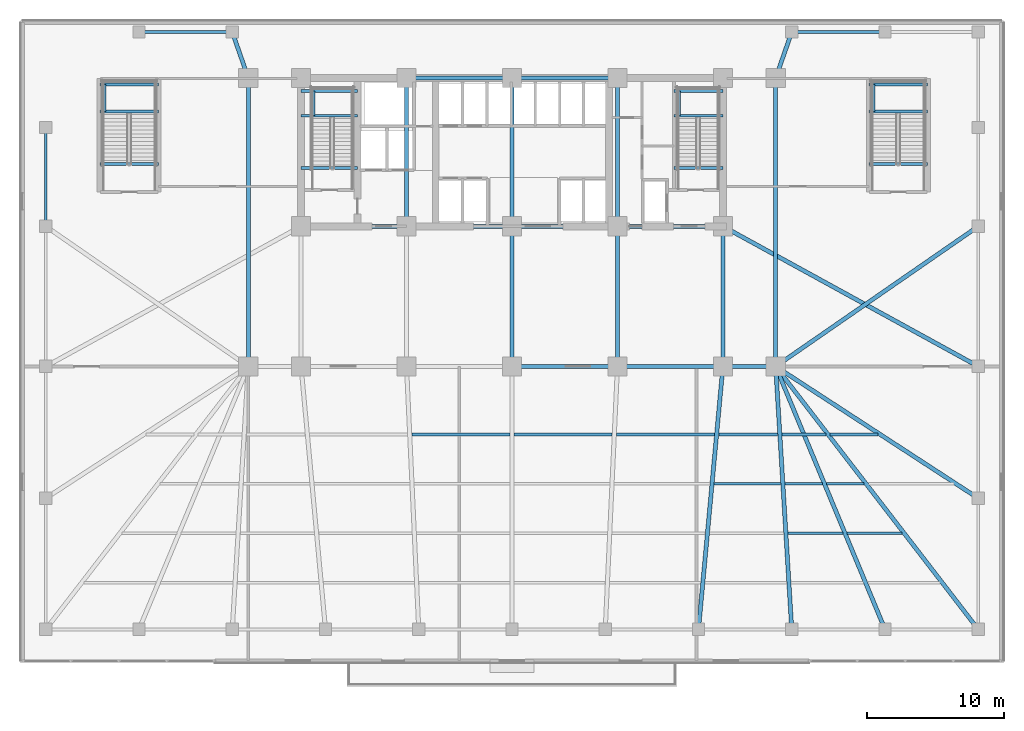
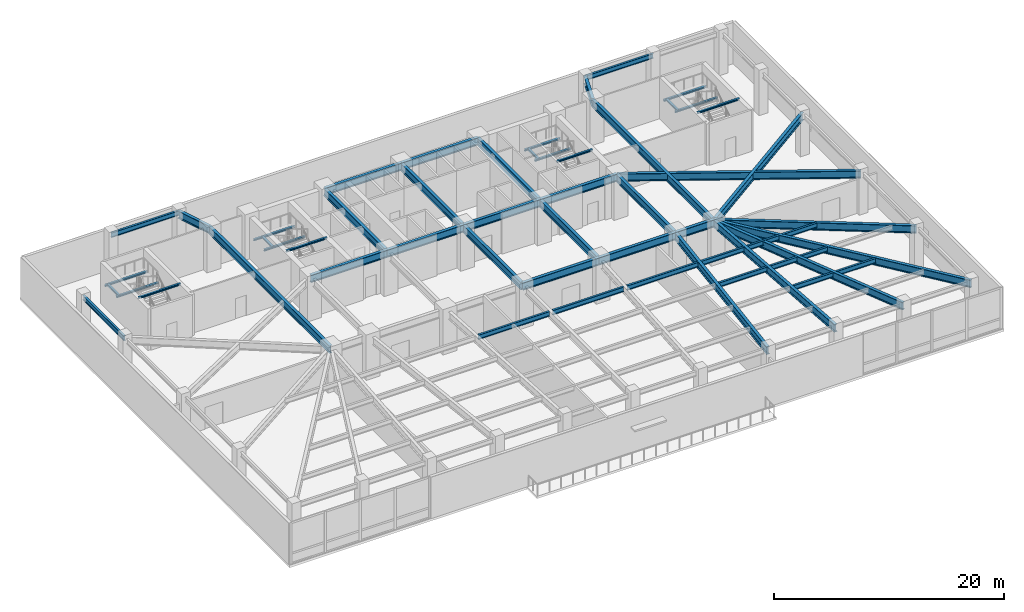
# One storey, part 5 of 15: 56 beams.
"""IFC4 building model written with IfcOpenShell, lengths in metres."""

from ifc_helpers import new_model, si_unit, direction, frame, origin, origin_2d, place, context, subcontext, project, spatial, i_section, extrude, material, material_profile, profile_set, type_object, element, save


model = new_model("IFC4")

# Units and contexts
model_context = context("Model", 3, precision=1e-05, world=origin(), true_north=direction((0.0, 1.0)))
body_context = subcontext(model_context, "Body", "Model", "MODEL_VIEW")
ifc_project = project(units=[si_unit("LENGTHUNIT", "METRE"), si_unit("AREAUNIT", "SQUARE_METRE"), si_unit("VOLUMEUNIT", "CUBIC_METRE"), si_unit("PLANEANGLEUNIT", "RADIAN"), si_unit("MASSUNIT", "GRAM", prefix="KILO")], contexts=[model_context])

# Site, building, storey
site_placement = place(None, origin())
site = spatial("IfcSite", under=ifc_project, at=site_placement, CompositionType="ELEMENT")
building_placement = place(site_placement, origin())
building = spatial("IfcBuilding", under=site, at=building_placement, Name="Yelkora Congress Tower", CompositionType="ELEMENT")
storey_placement = place(building_placement, frame((0.0, 0.0, 20.39990234375)))
storey = spatial("IfcBuildingStorey", under=building, at=storey_placement, Name="L04", CompositionType="ELEMENT", Elevation=20.39990234375)

# Beams
ifc_material_1 = material(Name="Steel S460M", Category="steel")
ifc_material_profile_1 = material_profile(ifc_material_1, i_section(OverallWidth=0.300048828125, OverallDepth=0.800048828125, WebThickness=0.017578125, FlangeThickness=0.032958984375, FilletRadius=0.030029296875, at=origin_2d()), Name="HEB 800")
ifc_profile_set_1 = profile_set([ifc_material_profile_1], Name="Steel S460M")
beam_type_1 = type_object("IfcBeamType", Name="BM-HALL-HEB800", PredefinedType="BEAM", material=ifc_profile_set_1)
beam_1_placement = place(storey_placement, frame((38.39990234375, 25.199951171875, 3.97998046875), z_axis=(1.0, 0.0, 0.0), x_axis=(0.0, 1.0, 0.0)))
element("IfcBeam", 1, at=beam_1_placement, inside=storey, type_object=beam_type_1, Name="L04 Spine Grid D Girder 4", PredefinedType="BEAM", context=body_context, shape_type="SweptSolid", body=[
    extrude(i_section(OverallWidth=0.300048828125, OverallDepth=0.800048828125, WebThickness=0.017578125, FlangeThickness=0.032958984375, FilletRadius=0.030029296875, at=origin_2d()), origin(), (0.0, 0.0, 1.0), 7.68017578125),
])
beam_2_placement = place(storey_placement, frame((46.080078125, 25.199951171875, 3.97998046875), z_axis=(1.0, 0.0, 0.0), x_axis=(0.0, 1.0, 0.0)))
element("IfcBeam", 2, at=beam_2_placement, inside=storey, type_object=beam_type_1, Name="L04 Spine Grid D Girder 5", PredefinedType="BEAM", context=body_context, shape_type="SweptSolid", body=[
    extrude(i_section(OverallWidth=0.300048828125, OverallDepth=0.800048828125, WebThickness=0.017578125, FlangeThickness=0.032958984375, FilletRadius=0.030029296875, at=origin_2d()), origin(), (0.0, 0.0, 1.0), 7.679931640625),
])
beam_3_placement = place(storey_placement, frame((53.760009765625, 25.199951171875, 3.97998046875), z_axis=(1.0, 0.0, 0.0), x_axis=(0.0, 1.0, 0.0)))
element("IfcBeam", 3, at=beam_3_placement, inside=storey, type_object=beam_type_1, Name="L04 Spine Grid D Girder 6", PredefinedType="BEAM", context=body_context, shape_type="SweptSolid", body=[
    extrude(i_section(OverallWidth=0.300048828125, OverallDepth=0.800048828125, WebThickness=0.017578125, FlangeThickness=0.032958984375, FilletRadius=0.030029296875, at=origin_2d()), origin(), (0.0, 0.0, 1.0), 3.840087890625),
])
beam_4_placement = place(storey_placement, frame((30.719970703125, 46.199951171875, 3.97998046875), z_axis=(1.0, 0.0, 0.0), x_axis=(0.0, 1.0, 0.0)))
element("IfcBeam", 4, at=beam_4_placement, inside=storey, type_object=beam_type_1, Name="L04 Core North Girder 3", PredefinedType="BEAM", context=body_context, shape_type="SweptSolid", body=[
    extrude(i_section(OverallWidth=0.300048828125, OverallDepth=0.800048828125, WebThickness=0.017578125, FlangeThickness=0.032958984375, FilletRadius=0.030029296875, at=origin_2d()), origin(), (0.0, 0.0, 1.0), 7.679931640625),
])
beam_5_placement = place(storey_placement, frame((38.39990234375, 46.199951171875, 3.97998046875), z_axis=(1.0, 0.0, 0.0), x_axis=(0.0, 1.0, 0.0)))
element("IfcBeam", 5, at=beam_5_placement, inside=storey, type_object=beam_type_1, Name="L04 Core North Girder 4", PredefinedType="BEAM", context=body_context, shape_type="SweptSolid", body=[
    extrude(i_section(OverallWidth=0.300048828125, OverallDepth=0.800048828125, WebThickness=0.017578125, FlangeThickness=0.032958984375, FilletRadius=0.030029296875, at=origin_2d()), origin(), (0.0, 0.0, 1.0), 7.68017578125),
])
for number, where, z_axis, x_axis, name in (
    (6, (23.0400390625, 35.39990234375, 3.97998046875), (1.0, 0.0, 0.0), (0.0, 1.0, 0.0), "L04 Core South Girder 1"),
    (7, (30.719970703125, 35.39990234375, 3.97998046875), (1.0, 0.0, 0.0), (0.0, 1.0, 0.0), "L04 Core South Girder 2"),
):
    element("IfcBeam", number, at=place(storey_placement, frame(where, z_axis=z_axis, x_axis=x_axis)), inside=storey, type_object=beam_type_1, Name=name, PredefinedType="BEAM", context=body_context, shape_type="SweptSolid", body=[
        extrude(i_section(OverallWidth=0.300048828125, OverallDepth=0.800048828125, WebThickness=0.017578125, FlangeThickness=0.032958984375, FilletRadius=0.030029296875, at=origin_2d()), origin(), (0.0, 0.0, 1.0), 7.679931640625),
    ])
beam_6_placement = place(storey_placement, frame((38.39990234375, 35.39990234375, 3.97998046875), z_axis=(1.0, 0.0, 0.0), x_axis=(0.0, 1.0, 0.0)))
element("IfcBeam", 8, at=beam_6_placement, inside=storey, type_object=beam_type_1, Name="L04 Core South Girder 3", PredefinedType="BEAM", context=body_context, shape_type="SweptSolid", body=[
    extrude(i_section(OverallWidth=0.300048828125, OverallDepth=0.800048828125, WebThickness=0.017578125, FlangeThickness=0.032958984375, FilletRadius=0.030029296875, at=origin_2d()), origin(), (0.0, 0.0, 1.0), 7.68017578125),
])
beam_7_placement = place(storey_placement, frame((46.080078125, 35.39990234375, 3.97998046875), z_axis=(1.0, 0.0, 0.0), x_axis=(0.0, 1.0, 0.0)))
element("IfcBeam", 9, at=beam_7_placement, inside=storey, type_object=beam_type_1, Name="L04 Core South Girder 4", PredefinedType="BEAM", context=body_context, shape_type="SweptSolid", body=[
    extrude(i_section(OverallWidth=0.300048828125, OverallDepth=0.800048828125, WebThickness=0.017578125, FlangeThickness=0.032958984375, FilletRadius=0.030029296875, at=origin_2d()), origin(), (0.0, 0.0, 1.0), 7.679931640625),
])
beam_8_placement = place(storey_placement, frame((30.719970703125, 35.39990234375, 3.97998046875), z_axis=(0.0, 1.0, 0.0), x_axis=(-1.0, 0.0, 0.0)))
element("IfcBeam", 10, at=beam_8_placement, inside=storey, type_object=beam_type_1, Name="L04 Core Tie Girder MC-S2", PredefinedType="BEAM", context=body_context, shape_type="SweptSolid", body=[
    extrude(i_section(OverallWidth=0.300048828125, OverallDepth=0.800048828125, WebThickness=0.017578125, FlangeThickness=0.032958984375, FilletRadius=0.030029296875, at=origin_2d()), origin(), (0.0, 0.0, 1.0), 10.800048828125),
])
beam_9_placement = place(storey_placement, frame((38.39990234375, 25.199951171875, 3.97998046875), z_axis=(0.0, 1.0, 0.0), x_axis=(-1.0, 0.0, 0.0)))
element("IfcBeam", 11, at=beam_9_placement, inside=storey, type_object=beam_type_1, Name="L04 Core Tie Girder MC-D3", PredefinedType="BEAM", context=body_context, shape_type="SweptSolid", body=[
    extrude(i_section(OverallWidth=0.300048828125, OverallDepth=0.800048828125, WebThickness=0.017578125, FlangeThickness=0.032958984375, FilletRadius=0.030029296875, at=origin_2d()), origin(), (0.0, 0.0, 1.0), 10.199951171875),
])
beam_10_placement = place(storey_placement, frame((38.39990234375, 35.39990234375, 3.97998046875), z_axis=(0.0, 1.0, 0.0), x_axis=(-1.0, 0.0, 0.0)))
element("IfcBeam", 12, at=beam_10_placement, inside=storey, type_object=beam_type_1, Name="L04 Core Tie Girder MC-S3", PredefinedType="BEAM", context=body_context, shape_type="SweptSolid", body=[
    extrude(i_section(OverallWidth=0.300048828125, OverallDepth=0.800048828125, WebThickness=0.017578125, FlangeThickness=0.032958984375, FilletRadius=0.030029296875, at=origin_2d()), origin(), (0.0, 0.0, 1.0), 10.800048828125),
])
beam_11_placement = place(storey_placement, frame((46.080078125, 25.199951171875, 3.97998046875), z_axis=(0.0, 1.0, 0.0), x_axis=(-1.0, 0.0, 0.0)))
element("IfcBeam", 13, at=beam_11_placement, inside=storey, type_object=beam_type_1, Name="L04 Core Tie Girder MC-D4", PredefinedType="BEAM", context=body_context, shape_type="SweptSolid", body=[
    extrude(i_section(OverallWidth=0.300048828125, OverallDepth=0.800048828125, WebThickness=0.017578125, FlangeThickness=0.032958984375, FilletRadius=0.030029296875, at=origin_2d()), origin(), (0.0, 0.0, 1.0), 10.199951171875),
])
beam_12_placement = place(storey_placement, frame((46.080078125, 35.39990234375, 3.97998046875), z_axis=(0.0, 1.0, 0.0), x_axis=(-1.0, 0.0, 0.0)))
element("IfcBeam", 14, at=beam_12_placement, inside=storey, type_object=beam_type_1, Name="L04 Core Tie Girder MC-S4", PredefinedType="BEAM", context=body_context, shape_type="SweptSolid", body=[
    extrude(i_section(OverallWidth=0.300048828125, OverallDepth=0.800048828125, WebThickness=0.017578125, FlangeThickness=0.032958984375, FilletRadius=0.030029296875, at=origin_2d()), origin(), (0.0, 0.0, 1.0), 10.800048828125),
])
beam_13_placement = place(storey_placement, frame((53.760009765625, 25.199951171875, 3.97998046875), z_axis=(0.0, 1.0, 0.0), x_axis=(-1.0, 0.0, 0.0)))
element("IfcBeam", 15, at=beam_13_placement, inside=storey, type_object=beam_type_1, Name="L04 Core Tie Girder MC-D5", PredefinedType="BEAM", context=body_context, shape_type="SweptSolid", body=[
    extrude(i_section(OverallWidth=0.300048828125, OverallDepth=0.800048828125, WebThickness=0.017578125, FlangeThickness=0.032958984375, FilletRadius=0.030029296875, at=origin_2d()), origin(), (0.0, 0.0, 1.0), 10.199951171875),
])
for number, where, z_axis, x_axis, name in (
    (16, (19.199951171875, 25.199951171875, 3.97998046875), (0.0, 1.0, 0.0), (-1.0, 0.0, 0.0), "L04 Neck Flank Girder MC-F1"),
    (17, (57.60009765625, 25.199951171875, 3.97998046875), (0.0, 1.0, 0.0), (-1.0, 0.0, 0.0), "L04 Neck Flank Girder MC-F2"),
):
    element("IfcBeam", number, at=place(storey_placement, frame(where, z_axis=z_axis, x_axis=x_axis)), inside=storey, type_object=beam_type_1, Name=name, PredefinedType="BEAM", context=body_context, shape_type="SweptSolid", body=[
        extrude(i_section(OverallWidth=0.300048828125, OverallDepth=0.800048828125, WebThickness=0.017578125, FlangeThickness=0.032958984375, FilletRadius=0.030029296875, at=origin_2d()), origin(), (0.0, 0.0, 1.0), 21.0),
    ])
beam_14_placement = place(storey_placement, frame((18.030029296875, 49.550048828125, 3.97998046875), z_axis=(0.329694513381, -0.944087669577, 0.0), x_axis=(0.944087669577, 0.329694513381, 0.0)))
element("IfcBeam", 18, at=beam_14_placement, inside=storey, type_object=beam_type_1, Name="L04 Primary Frame Girder PN03", PredefinedType="BEAM", context=body_context, shape_type="SweptSolid", body=[
    extrude(i_section(OverallWidth=0.300048828125, OverallDepth=0.800048828125, WebThickness=0.017578125, FlangeThickness=0.032958984375, FilletRadius=0.030029296875, at=origin_2d()), origin(), (0.0, 0.0, 1.0), 3.548583984375),
])
beam_15_placement = place(storey_placement, frame((51.97998046875, 6.050048828125, 3.97998046875), z_axis=(0.092553417869, 0.995707720589, 0.0), x_axis=(-0.995707720589, 0.092553417869, 0.0)))
element("IfcBeam", 19, at=beam_15_placement, inside=storey, type_object=beam_type_1, Name="L04 Primary Frame Girder PS08", PredefinedType="BEAM", context=body_context, shape_type="SweptSolid", body=[
    extrude(i_section(OverallWidth=0.300048828125, OverallDepth=0.800048828125, WebThickness=0.017578125, FlangeThickness=0.032958984375, FilletRadius=0.030029296875, at=origin_2d()), origin(), (0.0, 0.0, 1.0), 19.232421875),
])
beam_16_placement = place(storey_placement, frame((58.77001953125, 6.050048828125, 3.97998046875), z_axis=(-0.060979146345, 0.99813904027, 0.0), x_axis=(-0.99813904027, -0.060979146345, 0.0)))
element("IfcBeam", 20, at=beam_16_placement, inside=storey, type_object=beam_type_1, Name="L04 Primary Frame Girder PS09", PredefinedType="BEAM", context=body_context, shape_type="SweptSolid", body=[
    extrude(i_section(OverallWidth=0.300048828125, OverallDepth=0.800048828125, WebThickness=0.017578125, FlangeThickness=0.032958984375, FilletRadius=0.030029296875, at=origin_2d()), origin(), (0.0, 0.0, 1.0), 19.185546875),
])
beam_17_placement = place(storey_placement, frame((58.77001953125, 49.550048828125, 3.97998046875), z_axis=(-0.329694513381, -0.944087669577, 0.0), x_axis=(0.944087669577, -0.329694513381, 0.0)))
element("IfcBeam", 21, at=beam_17_placement, inside=storey, type_object=beam_type_1, Name="L04 Primary Frame Girder PN09", PredefinedType="BEAM", context=body_context, shape_type="SweptSolid", body=[
    extrude(i_section(OverallWidth=0.300048828125, OverallDepth=0.800048828125, WebThickness=0.017578125, FlangeThickness=0.032958984375, FilletRadius=0.030029296875, at=origin_2d()), origin(), (0.0, 0.0, 1.0), 3.548583984375),
])
beam_18_placement = place(storey_placement, frame((65.56005859375, 6.050048828125, 3.97998046875), z_axis=(-0.383827816401, 0.923404682334, 0.0), x_axis=(-0.923404682334, -0.383827816401, 0.0)))
element("IfcBeam", 22, at=beam_18_placement, inside=storey, type_object=beam_type_1, Name="L04 Primary Frame Girder PS10", PredefinedType="BEAM", context=body_context, shape_type="SweptSolid", body=[
    extrude(i_section(OverallWidth=0.300048828125, OverallDepth=0.800048828125, WebThickness=0.017578125, FlangeThickness=0.032958984375, FilletRadius=0.030029296875, at=origin_2d()), origin(), (0.0, 0.0, 1.0), 20.73828125),
])
beam_19_placement = place(storey_placement, frame((72.35009765625, 6.050048828125, 3.97998046875), z_axis=(-0.610212418574, 0.792237845737, 0.0), x_axis=(-0.792237845737, -0.610212418574, 0.0)))
element("IfcBeam", 23, at=beam_19_placement, inside=storey, type_object=beam_type_1, Name="L04 Primary Frame Girder PS11", PredefinedType="BEAM", context=body_context, shape_type="SweptSolid", body=[
    extrude(i_section(OverallWidth=0.300048828125, OverallDepth=0.800048828125, WebThickness=0.017578125, FlangeThickness=0.032958984375, FilletRadius=0.030029296875, at=origin_2d()), origin(), (0.0, 0.0, 1.0), 24.171875),
])
beam_20_placement = place(storey_placement, frame((72.35009765625, 15.60009765625, 3.97998046875), z_axis=(-0.83812272066, 0.545481718404, 0.0), x_axis=(-0.545481718404, -0.83812272066, 0.0)))
element("IfcBeam", 24, at=beam_20_placement, inside=storey, type_object=beam_type_1, Name="L04 Primary Frame Girder PE1", PredefinedType="BEAM", context=body_context, shape_type="SweptSolid", body=[
    extrude(i_section(OverallWidth=0.300048828125, OverallDepth=0.800048828125, WebThickness=0.017578125, FlangeThickness=0.032958984375, FilletRadius=0.030029296875, at=origin_2d()), origin(), (0.0, 0.0, 1.0), 17.598876953125),
])
beam_21_placement = place(storey_placement, frame((72.35009765625, 25.199951171875, 3.97998046875), z_axis=(-0.876705282536, 0.48102790727, 0.0), x_axis=(-0.48102790727, -0.876705282536, 0.0)))
element("IfcBeam", 25, at=beam_21_placement, inside=storey, type_object=beam_type_1, Name="L04 Primary Frame Girder PE2", PredefinedType="BEAM", context=body_context, shape_type="SweptSolid", body=[
    extrude(i_section(OverallWidth=0.300048828125, OverallDepth=0.800048828125, WebThickness=0.017578125, FlangeThickness=0.032958984375, FilletRadius=0.030029296875, at=origin_2d()), origin(), (0.0, 0.0, 1.0), 21.20458984375),
])
beam_22_placement = place(storey_placement, frame((72.35009765625, 35.39990234375, 3.97998046875), z_axis=(-0.822494466498, -0.568773111689, 0.0), x_axis=(0.568773111689, -0.822494466498, 0.0)))
element("IfcBeam", 26, at=beam_22_placement, inside=storey, type_object=beam_type_1, Name="L04 Primary Frame Girder PE3", PredefinedType="BEAM", context=body_context, shape_type="SweptSolid", body=[
    extrude(i_section(OverallWidth=0.300048828125, OverallDepth=0.800048828125, WebThickness=0.017578125, FlangeThickness=0.032958984375, FilletRadius=0.030029296875, at=origin_2d()), origin(), (0.0, 0.0, 1.0), 17.933349609375),
])
ifc_material_2 = material(Name="Steel S355J2", Category="steel")
ifc_material_profile_2 = material_profile(ifc_material_2, i_section(OverallWidth=0.199951171875, OverallDepth=0.5, WebThickness=0.01025390625, FlangeThickness=0.01611328125, FilletRadius=0.02099609375, at=origin_2d()), Name="IPE 500")
ifc_profile_set_2 = profile_set([ifc_material_profile_2], Name="Steel S355J2")
beam_type_2 = type_object("IfcBeamType", Name="BM-JOIST-IPE500", PredefinedType="JOIST", material=ifc_profile_set_2)
for number, where, z_axis, x_axis, name in (
    (27, (58.502197265625, 13.050048828125, 4.130126953125), (1.0, 0.0, 0.0), (0.0, 1.0, 0.0), "L04 Composite Floor Joist 19"),
    (28, (62.810302734375, 13.050048828125, 4.130126953125), (1.0, 0.0, 0.0), (0.0, 1.0, 0.0), "L04 Composite Floor Joist 20"),
):
    element("IfcBeam", number, at=place(storey_placement, frame(where, z_axis=z_axis, x_axis=x_axis)), inside=storey, type_object=beam_type_2, Name=name, PredefinedType="JOIST", context=body_context, shape_type="SweptSolid", body=[
        extrude(i_section(OverallWidth=0.199951171875, OverallDepth=0.5, WebThickness=0.01025390625, FlangeThickness=0.01611328125, FilletRadius=0.02099609375, at=origin_2d()), origin(), (0.0, 0.0, 1.0), 3.988037109375),
    ])
beam_23_placement = place(storey_placement, frame((53.125244140625, 16.64990234375, 4.130126953125), z_axis=(1.0, 0.0, 0.0), x_axis=(0.0, 1.0, 0.0)))
element("IfcBeam", 29, at=beam_23_placement, inside=storey, type_object=beam_type_2, Name="L04 Composite Floor Joist 28", PredefinedType="JOIST", context=body_context, shape_type="SweptSolid", body=[
    extrude(i_section(OverallWidth=0.199951171875, OverallDepth=0.5, WebThickness=0.01025390625, FlangeThickness=0.01611328125, FilletRadius=0.02099609375, at=origin_2d()), origin(), (0.0, 0.0, 1.0), 4.837158203125),
])
for number, where, z_axis, x_axis, name in (
    (30, (58.282470703125, 16.64990234375, 4.130126953125), (1.0, 0.0, 0.0), (0.0, 1.0, 0.0), "L04 Composite Floor Joist 29"),
    (31, (61.31396484375, 16.64990234375, 4.130126953125), (1.0, 0.0, 0.0), (0.0, 1.0, 0.0), "L04 Composite Floor Joist 30"),
):
    element("IfcBeam", number, at=place(storey_placement, frame(where, z_axis=z_axis, x_axis=x_axis)), inside=storey, type_object=beam_type_2, Name=name, PredefinedType="JOIST", context=body_context, shape_type="SweptSolid", body=[
        extrude(i_section(OverallWidth=0.199951171875, OverallDepth=0.5, WebThickness=0.01025390625, FlangeThickness=0.01611328125, FilletRadius=0.02099609375, at=origin_2d()), origin(), (0.0, 0.0, 1.0), 2.71142578125),
    ])
for number, where, z_axis, x_axis, name in (
    (32, (31.110107421875, 20.25, 4.130126953125), (1.0, 0.0, 0.0), (0.0, 1.0, 0.0), "L04 Composite Floor Joist 36"),
    (33, (38.56005859375, 20.25, 4.130126953125), (1.0, 0.0, 0.0), (0.0, 1.0, 0.0), "L04 Composite Floor Joist 37"),
    (34, (46.010009765625, 20.25, 4.130126953125), (1.0, 0.0, 0.0), (0.0, 1.0, 0.0), "L04 Composite Floor Joist 38"),
):
    element("IfcBeam", number, at=place(storey_placement, frame(where, z_axis=z_axis, x_axis=x_axis)), inside=storey, type_object=beam_type_2, Name=name, PredefinedType="JOIST", context=body_context, shape_type="SweptSolid", body=[
        extrude(i_section(OverallWidth=0.199951171875, OverallDepth=0.5, WebThickness=0.01025390625, FlangeThickness=0.01611328125, FilletRadius=0.02099609375, at=origin_2d()), origin(), (0.0, 0.0, 1.0), 7.1298828125),
    ])
beam_24_placement = place(storey_placement, frame((53.4599609375, 20.25, 4.130126953125), z_axis=(1.0, 0.0, 0.0), x_axis=(0.0, 1.0, 0.0)))
element("IfcBeam", 35, at=beam_24_placement, inside=storey, type_object=beam_type_2, Name="L04 Composite Floor Joist 39", PredefinedType="JOIST", context=body_context, shape_type="SweptSolid", body=[
    extrude(i_section(OverallWidth=0.199951171875, OverallDepth=0.5, WebThickness=0.01025390625, FlangeThickness=0.01611328125, FilletRadius=0.02099609375, at=origin_2d()), origin(), (0.0, 0.0, 1.0), 4.282470703125),
])
beam_25_placement = place(storey_placement, frame((58.0625, 20.25, 4.130126953125), z_axis=(1.0, 0.0, 0.0), x_axis=(0.0, 1.0, 0.0)))
element("IfcBeam", 36, at=beam_25_placement, inside=storey, type_object=beam_type_2, Name="L04 Composite Floor Joist 40", PredefinedType="JOIST", context=body_context, shape_type="SweptSolid", body=[
    extrude(i_section(OverallWidth=0.199951171875, OverallDepth=0.5, WebThickness=0.01025390625, FlangeThickness=0.01611328125, FilletRadius=0.02099609375, at=origin_2d()), origin(), (0.0, 0.0, 1.0), 3.190185546875),
])
beam_26_placement = place(storey_placement, frame((61.57275390625, 20.25, 4.130126953125), z_axis=(1.0, 0.0, 0.0), x_axis=(0.0, 1.0, 0.0)))
element("IfcBeam", 37, at=beam_26_placement, inside=storey, type_object=beam_type_2, Name="L04 Composite Floor Joist 41", PredefinedType="JOIST", context=body_context, shape_type="SweptSolid", body=[
    extrude(i_section(OverallWidth=0.199951171875, OverallDepth=0.5, WebThickness=0.01025390625, FlangeThickness=0.01611328125, FilletRadius=0.02099609375, at=origin_2d()), origin(), (0.0, 0.0, 1.0), 3.47265625),
])
ifc_material_profile_3 = material_profile(ifc_material_2, i_section(OverallWidth=0.199951171875, OverallDepth=0.18994140625, WebThickness=0.006591796875, FlangeThickness=0.010009765625, FilletRadius=0.01806640625, at=origin_2d()), Name="HEA 200")
ifc_profile_set_3 = profile_set([ifc_material_profile_3], Name="Steel S355J2")
beam_type_3 = type_object("IfcBeamType", Name="BM-LAND-HEA200", PredefinedType="BEAM", material=ifc_profile_set_3)
for number, where, z_axis, x_axis, name in (
    (38, (23.0400390625, 43.4599609375, 2.084716796875), (1.0, 0.0, 0.0), (0.0, 1.0, 0.0), "ST-01 L04 Landing Header Beam 1S"),
    (39, (23.0400390625, 45.25, 2.084716796875), (1.0, 0.0, 0.0), (0.0, 1.0, 0.0), "ST-01 L04 Landing Header Beam 1N"),
):
    element("IfcBeam", number, at=place(storey_placement, frame(where, z_axis=z_axis, x_axis=x_axis)), inside=storey, type_object=beam_type_3, Name=name, PredefinedType="BEAM", context=body_context, shape_type="SweptSolid", body=[
        extrude(i_section(OverallWidth=0.199951171875, OverallDepth=0.18994140625, WebThickness=0.006591796875, FlangeThickness=0.010009765625, FilletRadius=0.01806640625, at=origin_2d()), origin(), (0.0, 0.0, 1.0), 4.10986328125),
    ])
beam_27_placement = place(storey_placement, frame((23.93994140625, 43.4599609375, 2.084716796875), z_axis=(0.0, 1.0, 0.0), x_axis=(-1.0, 0.0, 0.0)))
element("IfcBeam", 40, at=beam_27_placement, inside=storey, type_object=beam_type_3, Name="ST-01 L04 Landing Trimmer Beam 1M", PredefinedType="BEAM", context=body_context, shape_type="SweptSolid", body=[
    extrude(i_section(OverallWidth=0.199951171875, OverallDepth=0.18994140625, WebThickness=0.006591796875, FlangeThickness=0.010009765625, FilletRadius=0.01806640625, at=origin_2d()), origin(), (0.0, 0.0, 1.0), 1.7900390625),
])
beam_28_placement = place(storey_placement, frame((23.0400390625, 39.639892578125, 4.28466796875), z_axis=(1.0, 0.0, 0.0), x_axis=(0.0, 1.0, 0.0)))
element("IfcBeam", 41, at=beam_28_placement, inside=storey, type_object=beam_type_3, Name="ST-01 L04 Floor Arrival Stringer Header Beam", PredefinedType="BEAM", context=body_context, shape_type="SweptSolid", body=[
    extrude(i_section(OverallWidth=0.199951171875, OverallDepth=0.18994140625, WebThickness=0.006591796875, FlangeThickness=0.010009765625, FilletRadius=0.01806640625, at=origin_2d()), origin(), (0.0, 0.0, 1.0), 4.10986328125),
])
for number, where, z_axis, x_axis, name in (
    (42, (50.179931640625, 43.4599609375, 2.084716796875), (1.0, 0.0, 0.0), (0.0, 1.0, 0.0), "ST-02 L04 Landing Header Beam 1S"),
    (43, (50.179931640625, 45.25, 2.084716796875), (1.0, 0.0, 0.0), (0.0, 1.0, 0.0), "ST-02 L04 Landing Header Beam 1N"),
):
    element("IfcBeam", number, at=place(storey_placement, frame(where, z_axis=z_axis, x_axis=x_axis)), inside=storey, type_object=beam_type_3, Name=name, PredefinedType="BEAM", context=body_context, shape_type="SweptSolid", body=[
        extrude(i_section(OverallWidth=0.199951171875, OverallDepth=0.18994140625, WebThickness=0.006591796875, FlangeThickness=0.010009765625, FilletRadius=0.01806640625, at=origin_2d()), origin(), (0.0, 0.0, 1.0), 3.580078125),
    ])
beam_29_placement = place(storey_placement, frame((50.580078125, 43.4599609375, 2.084716796875), z_axis=(0.0, 1.0, 0.0), x_axis=(-1.0, 0.0, 0.0)))
element("IfcBeam", 44, at=beam_29_placement, inside=storey, type_object=beam_type_3, Name="ST-02 L04 Landing Trimmer Beam 1M", PredefinedType="BEAM", context=body_context, shape_type="SweptSolid", body=[
    extrude(i_section(OverallWidth=0.199951171875, OverallDepth=0.18994140625, WebThickness=0.006591796875, FlangeThickness=0.010009765625, FilletRadius=0.01806640625, at=origin_2d()), origin(), (0.0, 0.0, 1.0), 1.7900390625),
])
beam_30_placement = place(storey_placement, frame((50.179931640625, 39.639892578125, 4.28466796875), z_axis=(1.0, 0.0, 0.0), x_axis=(0.0, 1.0, 0.0)))
element("IfcBeam", 45, at=beam_30_placement, inside=storey, type_object=beam_type_3, Name="ST-02 L04 Floor Arrival Stringer Header Beam", PredefinedType="BEAM", context=body_context, shape_type="SweptSolid", body=[
    extrude(i_section(OverallWidth=0.199951171875, OverallDepth=0.18994140625, WebThickness=0.006591796875, FlangeThickness=0.010009765625, FilletRadius=0.01806640625, at=origin_2d()), origin(), (0.0, 0.0, 1.0), 3.580078125),
])
for number, where, z_axis, x_axis, name in (
    (46, (8.39990234375, 43.760009765625, 2.084716796875), (1.0, 0.0, 0.0), (0.0, 1.0, 0.0), "ST-P1 L04 Landing Header Beam 1S"),
    (47, (8.39990234375, 45.72998046875, 2.084716796875), (1.0, 0.0, 0.0), (0.0, 1.0, 0.0), "ST-P1 L04 Landing Header Beam 1N"),
):
    element("IfcBeam", number, at=place(storey_placement, frame(where, z_axis=z_axis, x_axis=x_axis)), inside=storey, type_object=beam_type_3, Name=name, PredefinedType="BEAM", context=body_context, shape_type="SweptSolid", body=[
        extrude(i_section(OverallWidth=0.199951171875, OverallDepth=0.18994140625, WebThickness=0.006591796875, FlangeThickness=0.010009765625, FilletRadius=0.01806640625, at=origin_2d()), origin(), (0.0, 0.0, 1.0), 4.260009765625),
    ])
beam_31_placement = place(storey_placement, frame((8.719970703125, 43.760009765625, 2.084716796875), z_axis=(0.0, 1.0, 0.0), x_axis=(-1.0, 0.0, 0.0)))
element("IfcBeam", 48, at=beam_31_placement, inside=storey, type_object=beam_type_3, Name="ST-P1 L04 Landing Trimmer Beam 1M", PredefinedType="BEAM", context=body_context, shape_type="SweptSolid", body=[
    extrude(i_section(OverallWidth=0.199951171875, OverallDepth=0.18994140625, WebThickness=0.006591796875, FlangeThickness=0.010009765625, FilletRadius=0.01806640625, at=origin_2d()), origin(), (0.0, 0.0, 1.0), 1.969970703125),
])
for number, where, z_axis, x_axis, name in (
    (49, (8.39990234375, 39.93994140625, 4.28466796875), (1.0, 0.0, 0.0), (0.0, 1.0, 0.0), "ST-P1 L04 Floor Arrival Stringer Header Beam"),
    (50, (64.39990234375, 43.760009765625, 2.084716796875), (1.0, 0.0, 0.0), (0.0, 1.0, 0.0), "ST-P2 L04 Landing Header Beam 1S"),
    (51, (64.39990234375, 45.72998046875, 2.084716796875), (1.0, 0.0, 0.0), (0.0, 1.0, 0.0), "ST-P2 L04 Landing Header Beam 1N"),
):
    element("IfcBeam", number, at=place(storey_placement, frame(where, z_axis=z_axis, x_axis=x_axis)), inside=storey, type_object=beam_type_3, Name=name, PredefinedType="BEAM", context=body_context, shape_type="SweptSolid", body=[
        extrude(i_section(OverallWidth=0.199951171875, OverallDepth=0.18994140625, WebThickness=0.006591796875, FlangeThickness=0.010009765625, FilletRadius=0.01806640625, at=origin_2d()), origin(), (0.0, 0.0, 1.0), 4.260009765625),
    ])
beam_32_placement = place(storey_placement, frame((64.719970703125, 43.760009765625, 2.084716796875), z_axis=(0.0, 1.0, 0.0), x_axis=(-1.0, 0.0, 0.0)))
element("IfcBeam", 52, at=beam_32_placement, inside=storey, type_object=beam_type_3, Name="ST-P2 L04 Landing Trimmer Beam 1M", PredefinedType="BEAM", context=body_context, shape_type="SweptSolid", body=[
    extrude(i_section(OverallWidth=0.199951171875, OverallDepth=0.18994140625, WebThickness=0.006591796875, FlangeThickness=0.010009765625, FilletRadius=0.01806640625, at=origin_2d()), origin(), (0.0, 0.0, 1.0), 1.969970703125),
])
beam_33_placement = place(storey_placement, frame((64.39990234375, 39.93994140625, 4.28466796875), z_axis=(1.0, 0.0, 0.0), x_axis=(0.0, 1.0, 0.0)))
element("IfcBeam", 53, at=beam_33_placement, inside=storey, type_object=beam_type_3, Name="ST-P2 L04 Floor Arrival Stringer Header Beam", PredefinedType="BEAM", context=body_context, shape_type="SweptSolid", body=[
    extrude(i_section(OverallWidth=0.199951171875, OverallDepth=0.18994140625, WebThickness=0.006591796875, FlangeThickness=0.010009765625, FilletRadius=0.01806640625, at=origin_2d()), origin(), (0.0, 0.0, 1.0), 4.260009765625),
])
ifc_material_profile_4 = material_profile(ifc_material_2, i_section(OverallWidth=0.199951171875, OverallDepth=0.5, WebThickness=0.01025390625, FlangeThickness=0.01611328125, FilletRadius=0.02099609375, at=origin_2d()), Name="IPE 500")
ifc_profile_set_4 = profile_set([ifc_material_profile_4], Name="Steel S355J2")
beam_type_4 = type_object("IfcBeamType", Name="BM-SPAN-IPE500B", PredefinedType="BEAM", material=ifc_profile_set_4)
for number, where, z_axis, x_axis, name in (
    (54, (65.56005859375, 49.550048828125, 4.130126953125), (-1.0, 0.0, 0.0), (0.0, -1.0, 0.0), "L04 Perimeter Beam 18"),
    (55, (18.030029296875, 49.550048828125, 4.130126953125), (-1.0, 0.0, 0.0), (0.0, -1.0, 0.0), "L04 Perimeter Beam 20"),
):
    element("IfcBeam", number, at=place(storey_placement, frame(where, z_axis=z_axis, x_axis=x_axis)), inside=storey, type_object=beam_type_4, Name=name, PredefinedType="BEAM", context=body_context, shape_type="SweptSolid", body=[
        extrude(i_section(OverallWidth=0.199951171875, OverallDepth=0.5, WebThickness=0.01025390625, FlangeThickness=0.01611328125, FilletRadius=0.02099609375, at=origin_2d()), origin(), (0.0, 0.0, 1.0), 6.7900390625),
    ])
beam_34_placement = place(storey_placement, frame((4.449951171875, 42.60009765625, 4.130126953125), z_axis=(0.0, -1.0, 0.0), x_axis=(1.0, 0.0, 0.0)))
element("IfcBeam", 56, at=beam_34_placement, inside=storey, type_object=beam_type_4, Name="L04 Perimeter Beam 22", PredefinedType="BEAM", context=body_context, shape_type="SweptSolid", body=[
    extrude(i_section(OverallWidth=0.199951171875, OverallDepth=0.5, WebThickness=0.01025390625, FlangeThickness=0.01611328125, FilletRadius=0.02099609375, at=origin_2d()), origin(), (0.0, 0.0, 1.0), 7.2001953125),
])

save(model, "model.ifc")
